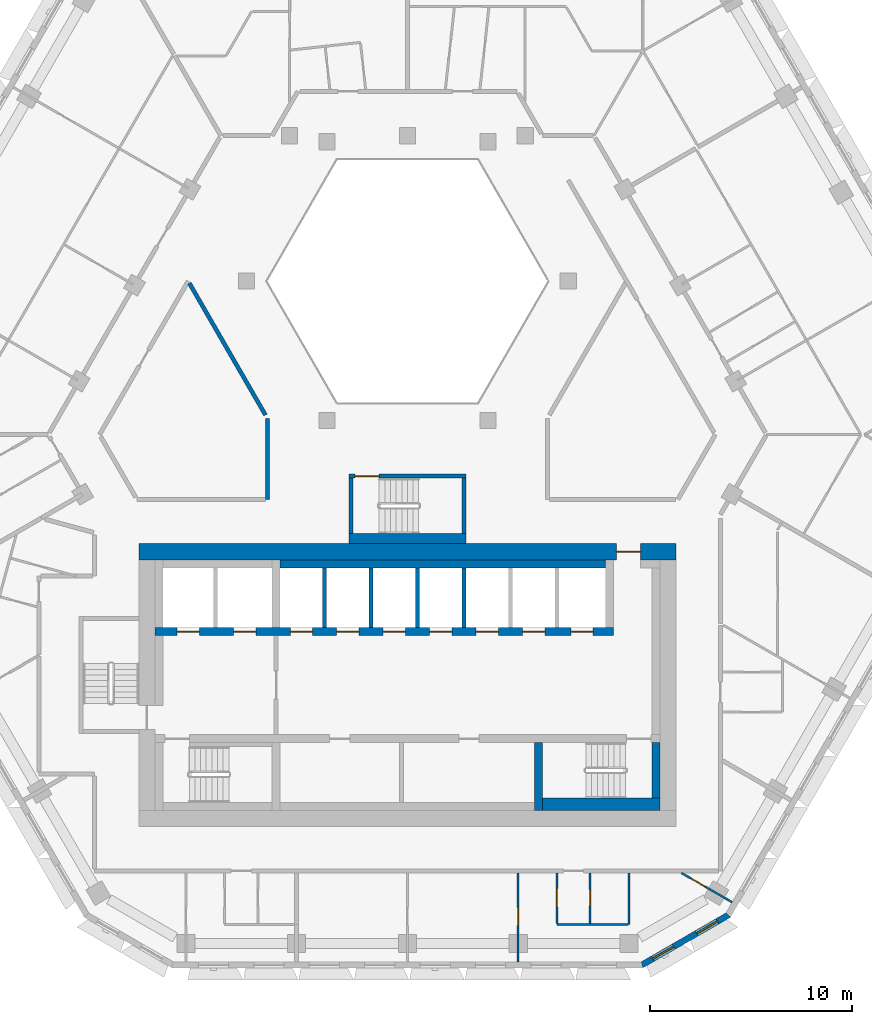
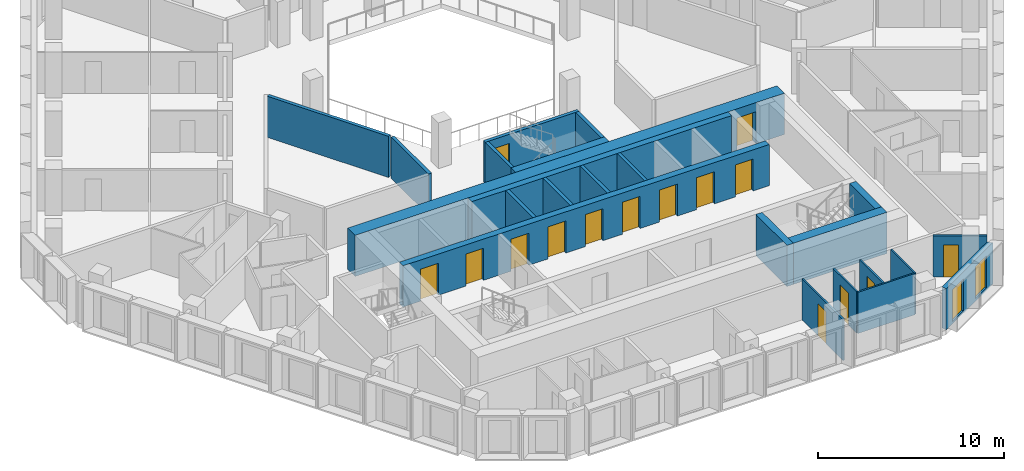
# One storey, part 5 of 17: 23 walls, 15 doors, 2 windows, 17 openings.
"""IFC4 building model written with IfcOpenShell, lengths in metres."""

from ifc_helpers import new_model, si_unit, direction, frame, frame_2d, origin, place, context, subcontext, project, spatial, polyline, rectangle, outline, extrude, material, layer, layer_set, type_object, element, fill, save


model = new_model("IFC4")

# Units and contexts
model_context = context("Model", 3, precision=1e-05, world=origin(), true_north=direction((0.0, 1.0)))
body_context = subcontext(model_context, "Body", "Model", "MODEL_VIEW")
ifc_project = project(units=[si_unit("LENGTHUNIT", "METRE"), si_unit("AREAUNIT", "SQUARE_METRE"), si_unit("VOLUMEUNIT", "CUBIC_METRE"), si_unit("PLANEANGLEUNIT", "RADIAN"), si_unit("MASSUNIT", "GRAM", prefix="KILO")], contexts=[model_context])

# Site, building, storey
site_placement = place(None, origin())
site = spatial("IfcSite", under=ifc_project, at=site_placement, CompositionType="ELEMENT")
building_placement = place(site_placement, origin())
building = spatial("IfcBuilding", under=site, at=building_placement, Name="Beryl Residences", CompositionType="ELEMENT")
storey_placement = place(building_placement, frame((0.0, 0.0, 144.60009765625)))
storey = spatial("IfcBuildingStorey", under=building, at=storey_placement, Name="L44", CompositionType="ELEMENT", Elevation=144.60009765625)

# Wall, openings, windows
ifc_material_1 = material(Name="Composite metal panel with mineral wool insulation")
ifc_layer_1 = layer(ifc_material_1, 0.300048828125)
ifc_layer_set_1 = layer_set([ifc_layer_1], Name="ES1 pale metal composite panel wall 300 mm")
wall_type_1 = type_object("IfcWallType", Name="ES1 pale metal composite panel wall 300 mm", PredefinedType="SOLIDWALL", material=ifc_layer_set_1)
wall_1_placement = place(storey_placement, frame((11.5869140625, -25.8701171875, 0.0), z_axis=(0.0, 0.0, 1.0), x_axis=(0.866022959057, 0.500004234368, 0.0)))
wall_1 = element("IfcWall", 1, at=wall_1_placement, inside=storey, type_object=wall_type_1, Name="ES1 external wall L44 S-SE", PredefinedType="SOLIDWALL", context=body_context, shape_type="SweptSolid", body=[
    extrude(outline(polyline([(0.0, -0.14990234375), (5.0, -0.14990234375), (4.919677734375, 0.14990234375), (0.080322265625, 0.14990234375), (0.0, -0.14990234375)])), origin(), (0.0, 0.0, 1.0), 2.699951171875),
])
opening_1_placement = place(wall_1_placement, frame((0.64990234375, 0.0, 0.14990234375)))
opening_1 = element("IfcOpeningElement", 2, at=opening_1_placement, cuts=wall_1, Name="Opening W2", PredefinedType="OPENING", context=body_context, shape_type="SweptSolid", body=[
    extrude(rectangle(XDim=1.199951171875, YDim=2.10009765625, at=frame_2d((0.60009765625, 1.050048828125))), frame((0.0, 0.159912109375, 0.0), z_axis=(0.0, -1.0, 0.0), x_axis=(1.0, 0.0, 0.0)), (0.0, 0.0, 1.0), 0.320068359375),
])
opening_2_placement = place(wall_1_placement, frame((3.14892578125, 0.0, 0.14990234375)))
opening_2 = element("IfcOpeningElement", 3, at=opening_2_placement, cuts=wall_1, Name="Opening W2", PredefinedType="OPENING", context=body_context, shape_type="SweptSolid", body=[
    extrude(rectangle(XDim=1.199951171875, YDim=2.10009765625, at=frame_2d((0.60009765625, 1.050048828125))), frame((0.0, 0.159912109375, 0.0), z_axis=(0.0, -1.0, 0.0), x_axis=(1.0, 0.0, 0.0)), (0.0, 0.0, 1.0), 0.320068359375),
])
ifc_material_2 = material(Name="Aluminium and clear glass", Category="aluminium")
window_type = type_object("IfcWindowType", Name="W2 chamfer window 1200 x 2100 mm", PartitioningType="SINGLE_PANEL", PredefinedType="WINDOW", material=ifc_material_2)
window_1_placement = place(opening_1_placement, origin())
window_1 = element("IfcWindow", 4, at=window_1_placement, inside=storey, type_object=window_type, Name="W2 window L44 S-SE 1", OverallHeight=2.10009765625, OverallWidth=1.199951171875, PartitioningType="SINGLE_PANEL", PredefinedType="WINDOW", context=body_context, shape_type="SweptSolid", body=[
    extrude(rectangle(XDim=1.199951171875, YDim=2.10009765625, at=frame_2d((0.60009765625, 1.050048828125))), frame((0.0, 0.030029296875, 0.0), z_axis=(0.0, -1.0, 0.0), x_axis=(1.0, 0.0, 0.0)), (0.0, 0.0, 1.0), 0.06005859375),
])
fill(opening_1, window_1)
window_2_placement = place(opening_2_placement, origin())
window_2 = element("IfcWindow", 5, at=window_2_placement, inside=storey, type_object=window_type, Name="W2 window L44 S-SE 2", OverallHeight=2.10009765625, OverallWidth=1.199951171875, PartitioningType="SINGLE_PANEL", PredefinedType="WINDOW", context=body_context, shape_type="SweptSolid", body=[
    extrude(rectangle(XDim=1.199951171875, YDim=2.10009765625, at=frame_2d((0.60009765625, 1.050048828125))), frame((0.0, 0.030029296875, 0.0), z_axis=(0.0, -1.0, 0.0), x_axis=(1.0, 0.0, 0.0)), (0.0, 0.0, 1.0), 0.06005859375),
])
fill(opening_2, window_2)

# Wall, opening, door
ifc_material_3 = material(Name="Gypsum board partition on steel studs", Category="steel")
ifc_layer_2 = layer(ifc_material_3, 0.10009765625)
ifc_layer_set_2 = layer_set([ifc_layer_2], Name="PT1 partition 100 mm gypsum board on steel studs")
wall_type_2 = type_object("IfcWallType", Name="PT1 partition 100 mm gypsum board on steel studs", PredefinedType="PARTITIONING", material=ifc_layer_set_2)
wall_2_placement = place(storey_placement, frame((7.406005859375, -21.300048828125, 0.0), z_axis=(0.0, 0.0, 1.0), x_axis=(0.0, -1.0, 0.0)))
wall_2 = element("IfcWall", 6, at=wall_2_placement, inside=storey, type_object=wall_type_2, Name="Wall PT1 L44 009", PredefinedType="PARTITIONING", context=body_context, shape_type="SweptSolid", body=[
    extrude(rectangle(XDim=2.509033203125, YDim=0.10009765625, at=frame_2d((1.25439453125, 0.0))), origin(), (0.0, 0.0, 1.0), 2.699951171875),
])
opening_3_placement = place(wall_2_placement, frame((0.780029296875, 0.0, 0.0)))
opening_3 = element("IfcOpeningElement", 7, at=opening_3_placement, cuts=wall_2, Name="Opening D1110", PredefinedType="OPENING", context=body_context, shape_type="SweptSolid", body=[
    extrude(rectangle(XDim=0.89990234375, YDim=2.10009765625, at=frame_2d((0.449951171875, 1.050048828125))), frame((0.0, 0.06005859375, 0.0), z_axis=(0.0, -1.0, 0.0), x_axis=(1.0, 0.0, 0.0)), (0.0, 0.0, 1.0), 0.1201171875),
])
ifc_material_4 = material(Name="Timber door leaf", Category="wood")
door_type_1 = type_object("IfcDoorType", Name="D2 room door 900 x 2100 mm", OperationType="SINGLE_SWING_LEFT", PredefinedType="DOOR", material=ifc_material_4)
door_1_placement = place(opening_3_placement, origin())
door_1 = element("IfcDoor", 8, at=door_1_placement, inside=storey, type_object=door_type_1, Name="Door D1110 L44 001", OperationType="SINGLE_SWING_RIGHT", OverallHeight=2.10009765625, OverallWidth=0.89990234375, PredefinedType="DOOR", context=body_context, shape_type="SweptSolid", body=[
    extrude(rectangle(XDim=0.89990234375, YDim=2.10009765625, at=frame_2d((0.449951171875, 1.050048828125))), frame((0.0, 0.02490234375, 0.0), z_axis=(0.0, -1.0, 0.0), x_axis=(1.0, 0.0, 0.0)), (0.0, 0.0, 1.0), 0.050048828125),
])
fill(opening_3, door_1)

wall_3_placement = place(storey_placement, frame((13.568115234375, -21.300048828125, 0.0), z_axis=(0.0, 0.0, 1.0), x_axis=(0.865885342641, -0.500242514586, 0.0)))
wall_3 = element("IfcWall", 9, at=wall_3_placement, inside=storey, type_object=wall_type_2, Name="Wall PT1 L44 014", PredefinedType="PARTITIONING", context=body_context, shape_type="SweptSolid", body=[
    extrude(rectangle(XDim=2.8984375, YDim=0.10009765625, at=frame_2d((1.44921875, 0.0))), origin(), (0.0, 0.0, 1.0), 2.699951171875),
])
opening_4_placement = place(wall_3_placement, frame((0.550048828125, 0.0, 0.0)))
opening_4 = element("IfcOpeningElement", 10, at=opening_4_placement, cuts=wall_3, Name="Opening D1113", PredefinedType="OPENING", context=body_context, shape_type="SweptSolid", body=[
    extrude(rectangle(XDim=0.800048828125, YDim=2.10009765625, at=frame_2d((0.39990234375, 1.050048828125))), frame((0.0, 0.06005859375, 0.0), z_axis=(0.0, -1.0, 0.0), x_axis=(1.0, 0.0, 0.0)), (0.0, 0.0, 1.0), 0.1201171875),
])
ifc_material_5 = material(Name="Timber door leaf", Category="wood")
door_type_2 = type_object("IfcDoorType", Name="D13 room door 800 x 2100 mm", OperationType="SINGLE_SWING_LEFT", PredefinedType="DOOR", material=ifc_material_5)
door_2_placement = place(opening_4_placement, origin())
door_2 = element("IfcDoor", 11, at=door_2_placement, inside=storey, type_object=door_type_2, Name="Door D1113 L44 001", OperationType="SINGLE_SWING_LEFT", OverallHeight=2.10009765625, OverallWidth=0.800048828125, PredefinedType="DOOR", context=body_context, shape_type="SweptSolid", body=[
    extrude(rectangle(XDim=0.800048828125, YDim=2.10009765625, at=frame_2d((0.39990234375, 1.050048828125))), frame((0.0, 0.02490234375, 0.0), z_axis=(0.0, -1.0, 0.0), x_axis=(1.0, 0.0, 0.0)), (0.0, 0.0, 1.0), 0.050048828125),
])
fill(opening_4, door_2)

# Wall
wall_4_placement = place(storey_placement, frame((7.406982421875, -23.860107421875, 0.0), z_axis=(0.0, 0.0, 1.0), x_axis=(1.0, 0.0, 0.0)))
element("IfcWall", 12, at=wall_4_placement, inside=storey, type_object=wall_type_2, Name="Wall PT1 L44 022", PredefinedType="PARTITIONING", context=body_context, shape_type="SweptSolid", body=[
    extrude(rectangle(XDim=3.512939453125, YDim=0.10009765625, at=frame_2d((1.75634765625, 0.0))), origin(), (0.0, 0.0, 1.0), 2.699951171875),
])

# Wall, opening, door
wall_5_placement = place(storey_placement, frame((5.486083984375, -25.699951171875, 0.0), z_axis=(0.0, 0.0, 1.0), x_axis=(0.0, 1.0, 0.0)))
wall_5 = element("IfcWall", 13, at=wall_5_placement, inside=storey, type_object=wall_type_2, Name="Wall PT1 L44 038", PredefinedType="PARTITIONING", context=body_context, shape_type="SweptSolid", body=[
    extrude(rectangle(XDim=4.39990234375, YDim=0.10009765625, at=frame_2d((2.199951171875, 0.0))), origin(), (0.0, 0.0, 1.0), 2.699951171875),
])
opening_5_placement = place(wall_5_placement, frame((1.800048828125, 0.0, 0.0)))
opening_5 = element("IfcOpeningElement", 14, at=opening_5_placement, cuts=wall_5, Name="Opening D1112", PredefinedType="OPENING", context=body_context, shape_type="SweptSolid", body=[
    extrude(rectangle(XDim=0.89990234375, YDim=2.10009765625, at=frame_2d((0.449951171875, 1.050048828125))), frame((0.0, 0.06005859375, 0.0), z_axis=(0.0, -1.0, 0.0), x_axis=(1.0, 0.0, 0.0)), (0.0, 0.0, 1.0), 0.1201171875),
])
door_3_placement = place(opening_5_placement, origin())
door_3 = element("IfcDoor", 15, at=door_3_placement, inside=storey, type_object=door_type_1, Name="Door D1112 L44 001", OperationType="SINGLE_SWING_RIGHT", OverallHeight=2.10009765625, OverallWidth=0.89990234375, PredefinedType="DOOR", context=body_context, shape_type="SweptSolid", body=[
    extrude(rectangle(XDim=0.89990234375, YDim=2.10009765625, at=frame_2d((0.449951171875, 1.050048828125))), frame((0.0, 0.02490234375, 0.0), z_axis=(0.0, -1.0, 0.0), x_axis=(1.0, 0.0, 0.0)), (0.0, 0.0, 1.0), 0.050048828125),
])
fill(opening_5, door_3)

wall_6_placement = place(storey_placement, frame((9.051025390625, -23.81005859375, 0.0), z_axis=(0.0, 0.0, 1.0), x_axis=(0.0, 1.0, 0.0)))
wall_6 = element("IfcWall", 16, at=wall_6_placement, inside=storey, type_object=wall_type_2, Name="Wall PT1 L44 040", PredefinedType="PARTITIONING", context=body_context, shape_type="SweptSolid", body=[
    extrude(rectangle(XDim=2.510009765625, YDim=0.10009765625, at=frame_2d((1.2548828125, 0.0))), origin(), (0.0, 0.0, 1.0), 2.699951171875),
])
opening_6_placement = place(wall_6_placement, frame((0.8798828125, 0.0, 0.0)))
opening_6 = element("IfcOpeningElement", 17, at=opening_6_placement, cuts=wall_6, Name="Opening D1111", PredefinedType="OPENING", context=body_context, shape_type="SweptSolid", body=[
    extrude(rectangle(XDim=0.800048828125, YDim=2.10009765625, at=frame_2d((0.39990234375, 1.050048828125))), frame((0.0, 0.06005859375, 0.0), z_axis=(0.0, -1.0, 0.0), x_axis=(1.0, 0.0, 0.0)), (0.0, 0.0, 1.0), 0.1201171875),
])
ifc_material_6 = material(Name="Timber door leaf", Category="wood")
door_type_3 = type_object("IfcDoorType", Name="D3 bathroom door 800 x 2100 mm", OperationType="SINGLE_SWING_LEFT", PredefinedType="DOOR", material=ifc_material_6)
door_4_placement = place(opening_6_placement, origin())
door_4 = element("IfcDoor", 18, at=door_4_placement, inside=storey, type_object=door_type_3, Name="Door D1111 L44 001", OperationType="SINGLE_SWING_LEFT", OverallHeight=2.10009765625, OverallWidth=0.800048828125, PredefinedType="DOOR", context=body_context, shape_type="SweptSolid", body=[
    extrude(rectangle(XDim=0.800048828125, YDim=2.10009765625, at=frame_2d((0.39990234375, 1.050048828125))), frame((0.0, 0.02490234375, 0.0), z_axis=(0.0, -1.0, 0.0), x_axis=(1.0, 0.0, 0.0)), (0.0, 0.0, 1.0), 0.050048828125),
])
fill(opening_6, door_4)

# Walls
wall_7_placement = place(storey_placement, frame((10.970947265625, -23.85888671875, 0.0), z_axis=(0.0, 0.0, 1.0), x_axis=(0.0, 1.0, 0.0)))
element("IfcWall", 19, at=wall_7_placement, inside=storey, type_object=wall_type_2, Name="Wall PT1 L44 041", PredefinedType="PARTITIONING", context=body_context, shape_type="SweptSolid", body=[
    extrude(rectangle(XDim=2.558837890625, YDim=0.10009765625, at=frame_2d((1.279296875, 0.0))), origin(), (0.0, 0.0, 1.0), 2.699951171875),
])
ifc_material_7 = material(Name="Double stud gypsum board wall")
ifc_layer_3 = layer(ifc_material_7, 0.199951171875)
ifc_layer_set_3 = layer_set([ifc_layer_3], Name="PT4 corridor wall 200 mm double stud")
wall_type_3 = type_object("IfcWallType", Name="PT4 corridor wall 200 mm double stud", PredefinedType="PARTITIONING", material=ifc_layer_set_3)
wall_8_placement = place(storey_placement, frame((-10.7958984375, 7.89990234375, 0.0), z_axis=(0.0, 0.0, 1.0), x_axis=(0.499954271211, -0.866051803703, 0.0)))
element("IfcWall", 20, at=wall_8_placement, inside=storey, type_object=wall_type_3, Name="Wall PT4 L44 001", PredefinedType="PARTITIONING", context=body_context, shape_type="SweptSolid", body=[
    extrude(rectangle(XDim=7.536376953125, YDim=0.199951171875, at=frame_2d((3.76806640625, 0.0))), origin(), (0.0, 0.0, 1.0), 2.699951171875),
])
wall_9_placement = place(storey_placement, frame((-6.927978515625, -2.800048828125, 0.0), z_axis=(0.0, 0.0, 1.0), x_axis=(0.0, 1.0, 0.0)))
element("IfcWall", 21, at=wall_9_placement, inside=storey, type_object=wall_type_3, Name="Wall PT4 L44 026", PredefinedType="PARTITIONING", context=body_context, shape_type="SweptSolid", body=[
    extrude(rectangle(XDim=4.0, YDim=0.199951171875, at=frame_2d((2.0, 0.0))), origin(), (0.0, 0.0, 1.0), 2.699951171875),
])

# Wall, opening, door
ifc_material_8 = material(Name="Concrete C40/50", Category="concrete")
ifc_layer_4 = layer(ifc_material_8, 0.199951171875)
ifc_layer_set_4 = layer_set([ifc_layer_4], Name="PT5 stair enclosure wall 200 mm reinforced concrete C40/50")
wall_type_4 = type_object("IfcWallType", Name="PT5 stair enclosure wall 200 mm reinforced concrete C40/50", PredefinedType="SOLIDWALL", material=ifc_layer_set_4)
wall_10_placement = place(storey_placement, frame((-2.89990234375, -1.64990234375, 0.0), z_axis=(0.0, 0.0, 1.0), x_axis=(1.0, 0.0, 0.0)))
wall_10 = element("IfcWall", 22, at=wall_10_placement, inside=storey, type_object=wall_type_4, Name="Wall PT5 L44 001", PredefinedType="SOLIDWALL", context=body_context, shape_type="SweptSolid", body=[
    extrude(rectangle(XDim=5.7998046875, YDim=0.199951171875, at=frame_2d((2.89990234375, 0.0))), origin(), (0.0, 0.0, 1.0), 2.699951171875),
])
opening_7_placement = place(wall_10_placement, frame((0.300048828125, 0.0, 0.0)))
opening_7 = element("IfcOpeningElement", 23, at=opening_7_placement, cuts=wall_10, Name="Opening DS04", PredefinedType="OPENING", context=body_context, shape_type="SweptSolid", body=[
    extrude(rectangle(XDim=1.199951171875, YDim=2.10009765625, at=frame_2d((0.60009765625, 1.050048828125))), frame((0.0, 0.10986328125, 0.0), z_axis=(0.0, -1.0, 0.0), x_axis=(1.0, 0.0, 0.0)), (0.0, 0.0, 1.0), 0.219970703125),
])
ifc_material_9 = material(Name="Steel door leaf in steel frame", Category="steel")
door_type_4 = type_object("IfcDoorType", Name="D4 stair door 1200 x 2100 mm", OperationType="SINGLE_SWING_LEFT", PredefinedType="DOOR", material=ifc_material_9)
door_5_placement = place(opening_7_placement, origin())
door_5 = element("IfcDoor", 24, at=door_5_placement, inside=storey, type_object=door_type_4, Name="Door DS04 L44 001", OperationType="SINGLE_SWING_LEFT", OverallHeight=2.10009765625, OverallWidth=1.199951171875, PredefinedType="DOOR", context=body_context, shape_type="SweptSolid", body=[
    extrude(rectangle(XDim=1.199951171875, YDim=2.10009765625, at=frame_2d((0.60009765625, 1.050048828125))), frame((0.0, 0.02490234375, 0.0), z_axis=(0.0, -1.0, 0.0), x_axis=(1.0, 0.0, 0.0)), (0.0, 0.0, 1.0), 0.050048828125),
])
fill(opening_7, door_5)

# Walls
for number, where, z_axis, x_axis, name in (
    (25, (-2.800048828125, -4.5, 0.0), (0.0, 0.0, 1.0), (0.0, 1.0, 0.0), "Wall PT5 L44 002"),
    (26, (2.800048828125, -4.5, 0.0), (0.0, 0.0, 1.0), (0.0, 1.0, 0.0), "Wall PT5 L44 003"),
):
    element("IfcWall", number, at=place(storey_placement, frame(where, z_axis=z_axis, x_axis=x_axis)), inside=storey, type_object=wall_type_4, Name=name, PredefinedType="SOLIDWALL", context=body_context, shape_type="SweptSolid", body=[
        extrude(rectangle(XDim=2.75, YDim=0.199951171875, at=frame_2d((1.375, 0.0))), origin(), (0.0, 0.0, 1.0), 2.699951171875),
    ])
ifc_material_10 = material(Name="Concrete C40/50", Category="concrete")
ifc_layer_5 = layer(ifc_material_10, 0.39990234375)
ifc_layer_set_5 = layer_set([ifc_layer_5], Name="PT5-400 stair enclosure wall 400 mm")
wall_type_5 = type_object("IfcWallType", Name="PT5-400 stair enclosure wall 400 mm", PredefinedType="SOLIDWALL", material=ifc_layer_set_5)
wall_11_placement = place(storey_placement, frame((12.300048828125, -17.60009765625, 0.0), z_axis=(0.0, 0.0, 1.0), x_axis=(0.0, 1.0, 0.0)))
element("IfcWall", 27, at=wall_11_placement, inside=storey, type_object=wall_type_5, Name="Stair wall 23", PredefinedType="SOLIDWALL", context=body_context, shape_type="SweptSolid", body=[
    extrude(rectangle(XDim=2.75, YDim=0.39990234375, at=frame_2d((1.375, 0.0))), origin(), (0.0, 0.0, 1.0), 2.699951171875),
])
ifc_material_11 = material(Name="Concrete C40/50", Category="concrete")
ifc_layer_6 = layer(ifc_material_11, 0.5)
ifc_layer_set_6 = layer_set([ifc_layer_6], Name="PT5-500 stair enclosure wall 500 mm")
wall_type_6 = type_object("IfcWallType", Name="PT5-500 stair enclosure wall 500 mm", PredefinedType="SOLIDWALL", material=ifc_layer_set_6)
wall_12_placement = place(storey_placement, frame((-2.89990234375, -4.75, 0.0), z_axis=(0.0, 0.0, 1.0), x_axis=(1.0, 0.0, 0.0)))
element("IfcWall", 28, at=wall_12_placement, inside=storey, type_object=wall_type_6, Name="Wall PT5-500 L44 001", PredefinedType="SOLIDWALL", context=body_context, shape_type="SweptSolid", body=[
    extrude(rectangle(XDim=5.7998046875, YDim=0.5, at=frame_2d((2.89990234375, 0.0))), origin(), (0.0, 0.0, 1.0), 2.699951171875),
])
ifc_material_12 = material(Name="Concrete C40/50", Category="concrete")
ifc_layer_7 = layer(ifc_material_12, 0.60009765625)
ifc_layer_set_7 = layer_set([ifc_layer_7], Name="PT5-600 stair enclosure wall 600 mm")
wall_type_7 = type_object("IfcWallType", Name="PT5-600 stair enclosure wall 600 mm", PredefinedType="SOLIDWALL", material=ifc_layer_set_7)
wall_13_placement = place(storey_placement, frame((6.699951171875, -17.89990234375, 0.0), z_axis=(0.0, 0.0, 1.0), x_axis=(1.0, 0.0, 0.0)))
element("IfcWall", 29, at=wall_13_placement, inside=storey, type_object=wall_type_7, Name="Stair wall 20", PredefinedType="SOLIDWALL", context=body_context, shape_type="SweptSolid", body=[
    extrude(rectangle(XDim=5.800048828125, YDim=0.60009765625, at=frame_2d((2.89990234375, 0.0))), origin(), (0.0, 0.0, 1.0), 2.699951171875),
])
ifc_material_13 = material(Name="Concrete C40/50", Category="concrete")
ifc_layer_8 = layer(ifc_material_13, 0.199951171875)
ifc_layer_set_8 = layer_set([ifc_layer_8], Name="PT6 lift shaft wall 200 mm reinforced concrete C40/50")
wall_type_8 = type_object("IfcWallType", Name="PT6 lift shaft wall 200 mm reinforced concrete C40/50", PredefinedType="SOLIDWALL", material=ifc_layer_set_8)
for number, where, z_axis, x_axis, name in (
    (30, (-4.10009765625, -9.14990234375, 0.0), (0.0, 0.0, 1.0), (0.0, 1.0, 0.0), "Lift shaft wall 14"),
    (31, (-1.800048828125, -9.14990234375, 0.0), (0.0, 0.0, 1.0), (0.0, 1.0, 0.0), "Lift shaft wall 15"),
    (32, (0.5, -9.14990234375, 0.0), (0.0, 0.0, 1.0), (0.0, 1.0, 0.0), "Lift shaft wall 17"),
    (33, (2.800048828125, -9.14990234375, 0.0), (0.0, 0.0, 1.0), (0.0, 1.0, 0.0), "Lift shaft wall 18"),
):
    element("IfcWall", number, at=place(storey_placement, frame(where, z_axis=z_axis, x_axis=x_axis)), inside=storey, type_object=wall_type_8, Name=name, PredefinedType="SOLIDWALL", context=body_context, shape_type="SweptSolid", body=[
        extrude(rectangle(XDim=2.949951171875, YDim=0.199951171875, at=frame_2d((1.47509765625, 0.0))), origin(), (0.0, 0.0, 1.0), 2.699951171875),
    ])
ifc_material_14 = material(Name="Concrete C40/50", Category="concrete")
ifc_layer_9 = layer(ifc_material_14, 0.39990234375)
ifc_layer_set_9 = layer_set([ifc_layer_9], Name="PT6-400 lift shaft wall 400 mm")
wall_type_9 = type_object("IfcWallType", Name="PT6-400 lift shaft wall 400 mm", PredefinedType="SOLIDWALL", material=ifc_layer_set_9)
wall_14_placement = place(storey_placement, frame((-6.300048828125, -6.0, 0.0), z_axis=(0.0, 0.0, 1.0), x_axis=(1.0, 0.0, 0.0)))
element("IfcWall", 34, at=wall_14_placement, inside=storey, type_object=wall_type_9, Name="Lift shaft wall 13", PredefinedType="SOLIDWALL", context=body_context, shape_type="SweptSolid", body=[
    extrude(rectangle(XDim=16.10009765625, YDim=0.39990234375, at=frame_2d((8.050048828125, 0.0))), origin(), (0.0, 0.0, 1.0), 2.699951171875),
])

# Wall, opening, door
ifc_material_15 = material(Name="Concrete C60/75", Category="concrete")
ifc_layer_10 = layer(ifc_material_15, 0.800048828125)
ifc_layer_set_10 = layer_set([ifc_layer_10], Name="SW3 core outer wall 800 mm C60/75")
wall_type_10 = type_object("IfcWallType", Name="SW3 core outer wall 800 mm C60/75", PredefinedType="SHEAR", material=ifc_layer_set_10)
wall_15_placement = place(storey_placement, frame((-13.300048828125, -5.39990234375, 0.0), z_axis=(0.0, 0.0, 1.0), x_axis=(1.0, 0.0, 0.0)))
wall_15 = element("IfcWall", 35, at=wall_15_placement, inside=storey, type_object=wall_type_10, Name="Core wall N L44", PredefinedType="SHEAR", context=body_context, shape_type="SweptSolid", body=[
    extrude(rectangle(XDim=26.60009765625, YDim=0.800048828125, at=frame_2d((13.300048828125, 0.0))), origin(), (0.0, 0.0, 1.0), 2.699951171875),
])
opening_8_placement = place(wall_15_placement, frame((23.64990234375, 0.0, 0.0)))
opening_8 = element("IfcOpeningElement", 36, at=opening_8_placement, cuts=wall_15, Name="Opening FD-NORTH", PredefinedType="OPENING", context=body_context, shape_type="SweptSolid", body=[
    extrude(rectangle(XDim=1.199951171875, YDim=2.10009765625, at=frame_2d((0.60009765625, 1.050048828125))), frame((0.0, 0.409912109375, 0.0), z_axis=(0.0, -1.0, 0.0), x_axis=(1.0, 0.0, 0.0)), (0.0, 0.0, 1.0), 0.820068359375),
])
ifc_material_16 = material(Name="Steel door leaf in steel frame", Category="steel")
door_type_5 = type_object("IfcDoorType", Name="D22 lobby door 1200 x 2100 mm", OperationType="DOUBLE_DOOR_SINGLE_SWING", PredefinedType="DOOR", material=ifc_material_16)
door_6_placement = place(opening_8_placement, origin())
door_6 = element("IfcDoor", 37, at=door_6_placement, inside=storey, type_object=door_type_5, Name="Door FD-NORTH L44 001", OperationType="DOUBLE_DOOR_SINGLE_SWING", OverallHeight=2.10009765625, OverallWidth=1.199951171875, PredefinedType="DOOR", context=body_context, shape_type="SweptSolid", body=[
    extrude(rectangle(XDim=1.199951171875, YDim=2.10009765625, at=frame_2d((0.60009765625, 1.050048828125))), frame((0.0, 0.02490234375, 0.0), z_axis=(0.0, -1.0, 0.0), x_axis=(1.0, 0.0, 0.0)), (0.0, 0.0, 1.0), 0.050048828125),
])
fill(opening_8, door_6)

# Wall, openings, doors
ifc_material_17 = material(Name="Concrete C60/75", Category="concrete")
ifc_layer_11 = layer(ifc_material_17, 0.39990234375)
ifc_layer_set_11 = layer_set([ifc_layer_11], Name="SW8 core internal wall 400 mm C60/75")
wall_type_11 = type_object("IfcWallType", Name="SW8 core internal wall 400 mm C60/75", PredefinedType="SHEAR", material=ifc_layer_set_11)
wall_16_placement = place(storey_placement, frame((-12.5, -9.35009765625, 0.0), z_axis=(0.0, 0.0, 1.0), x_axis=(1.0, 0.0, 0.0)))
wall_16 = element("IfcWall", 38, at=wall_16_placement, inside=storey, type_object=wall_type_11, Name="Core wall SP2 L44", PredefinedType="SHEAR", context=body_context, shape_type="SweptSolid", body=[
    extrude(rectangle(XDim=22.699951171875, YDim=0.39990234375, at=frame_2d((11.35009765625, 0.0))), origin(), (0.0, 0.0, 1.0), 2.699951171875),
])
opening_9_placement = place(wall_16_placement, frame((1.10009765625, 0.0, 0.0)))
opening_9 = element("IfcOpeningElement", 39, at=opening_9_placement, cuts=wall_16, Name="Opening LD-FF1", PredefinedType="OPENING", context=body_context, shape_type="SweptSolid", body=[
    extrude(rectangle(XDim=1.10009765625, YDim=2.10009765625, at=frame_2d((0.550048828125, 1.050048828125))), frame((0.0, 0.2099609375, 0.0), z_axis=(0.0, -1.0, 0.0), x_axis=(1.0, 0.0, 0.0)), (0.0, 0.0, 1.0), 0.419921875),
])
opening_10_placement = place(wall_16_placement, frame((3.89990234375, 0.0, 0.0)))
opening_10 = element("IfcOpeningElement", 40, at=opening_10_placement, cuts=wall_16, Name="Opening LD-FF2", PredefinedType="OPENING", context=body_context, shape_type="SweptSolid", body=[
    extrude(rectangle(XDim=1.10009765625, YDim=2.10009765625, at=frame_2d((0.550048828125, 1.050048828125))), frame((0.0, 0.2099609375, 0.0), z_axis=(0.0, -1.0, 0.0), x_axis=(1.0, 0.0, 0.0)), (0.0, 0.0, 1.0), 0.419921875),
])
opening_11_placement = place(wall_16_placement, frame((6.699951171875, 0.0, 0.0)))
opening_11 = element("IfcOpeningElement", 41, at=opening_11_placement, cuts=wall_16, Name="Opening LD-HR1", PredefinedType="OPENING", context=body_context, shape_type="SweptSolid", body=[
    extrude(rectangle(XDim=1.10009765625, YDim=2.10009765625, at=frame_2d((0.550048828125, 1.050048828125))), frame((0.0, 0.2099609375, 0.0), z_axis=(0.0, -1.0, 0.0), x_axis=(1.0, 0.0, 0.0)), (0.0, 0.0, 1.0), 0.419921875),
])
opening_12_placement = place(wall_16_placement, frame((9.0, 0.0, 0.0)))
opening_12 = element("IfcOpeningElement", 42, at=opening_12_placement, cuts=wall_16, Name="Opening LD-HR2", PredefinedType="OPENING", context=body_context, shape_type="SweptSolid", body=[
    extrude(rectangle(XDim=1.10009765625, YDim=2.10009765625, at=frame_2d((0.550048828125, 1.050048828125))), frame((0.0, 0.2099609375, 0.0), z_axis=(0.0, -1.0, 0.0), x_axis=(1.0, 0.0, 0.0)), (0.0, 0.0, 1.0), 0.419921875),
])
opening_13_placement = place(wall_16_placement, frame((11.300048828125, 0.0, 0.0)))
opening_13 = element("IfcOpeningElement", 43, at=opening_13_placement, cuts=wall_16, Name="Opening LD-HR3", PredefinedType="OPENING", context=body_context, shape_type="SweptSolid", body=[
    extrude(rectangle(XDim=1.10009765625, YDim=2.10009765625, at=frame_2d((0.550048828125, 1.050048828125))), frame((0.0, 0.2099609375, 0.0), z_axis=(0.0, -1.0, 0.0), x_axis=(1.0, 0.0, 0.0)), (0.0, 0.0, 1.0), 0.419921875),
])
opening_14_placement = place(wall_16_placement, frame((13.60009765625, 0.0, 0.0)))
opening_14 = element("IfcOpeningElement", 44, at=opening_14_placement, cuts=wall_16, Name="Opening LD-HR4", PredefinedType="OPENING", context=body_context, shape_type="SweptSolid", body=[
    extrude(rectangle(XDim=1.10009765625, YDim=2.10009765625, at=frame_2d((0.550048828125, 1.050048828125))), frame((0.0, 0.2099609375, 0.0), z_axis=(0.0, -1.0, 0.0), x_axis=(1.0, 0.0, 0.0)), (0.0, 0.0, 1.0), 0.419921875),
])
opening_15_placement = place(wall_16_placement, frame((15.89990234375, 0.0, 0.0)))
opening_15 = element("IfcOpeningElement", 45, at=opening_15_placement, cuts=wall_16, Name="Opening LD-HR5", PredefinedType="OPENING", context=body_context, shape_type="SweptSolid", body=[
    extrude(rectangle(XDim=1.10009765625, YDim=2.10009765625, at=frame_2d((0.550048828125, 1.050048828125))), frame((0.0, 0.2099609375, 0.0), z_axis=(0.0, -1.0, 0.0), x_axis=(1.0, 0.0, 0.0)), (0.0, 0.0, 1.0), 0.419921875),
])
opening_16_placement = place(wall_16_placement, frame((18.199951171875, 0.0, 0.0)))
opening_16 = element("IfcOpeningElement", 46, at=opening_16_placement, cuts=wall_16, Name="Opening LD-HR6", PredefinedType="OPENING", context=body_context, shape_type="SweptSolid", body=[
    extrude(rectangle(XDim=1.10009765625, YDim=2.10009765625, at=frame_2d((0.550048828125, 1.050048828125))), frame((0.0, 0.2099609375, 0.0), z_axis=(0.0, -1.0, 0.0), x_axis=(1.0, 0.0, 0.0)), (0.0, 0.0, 1.0), 0.419921875),
])
opening_17_placement = place(wall_16_placement, frame((20.60009765625, 0.0, 0.0)))
opening_17 = element("IfcOpeningElement", 47, at=opening_17_placement, cuts=wall_16, Name="Opening LD-SL1", PredefinedType="OPENING", context=body_context, shape_type="SweptSolid", body=[
    extrude(rectangle(XDim=1.10009765625, YDim=2.10009765625, at=frame_2d((0.550048828125, 1.050048828125))), frame((0.0, 0.2099609375, 0.0), z_axis=(0.0, -1.0, 0.0), x_axis=(1.0, 0.0, 0.0)), (0.0, 0.0, 1.0), 0.419921875),
])
ifc_material_18 = material(Name="Stainless steel sliding door", Category="steel")
door_type_6 = type_object("IfcDoorType", Name="LD1 lift landing door 1100 x 2100 mm", OperationType="DOUBLE_DOOR_SLIDING", PredefinedType="DOOR", material=ifc_material_18)
door_7_placement = place(opening_9_placement, origin())
door_7 = element("IfcDoor", 48, at=door_7_placement, inside=storey, type_object=door_type_6, Name="Lift landing door FF1", OperationType="DOUBLE_DOOR_SLIDING", OverallHeight=2.10009765625, OverallWidth=1.10009765625, PredefinedType="DOOR", context=body_context, shape_type="SweptSolid", body=[
    extrude(rectangle(XDim=1.10009765625, YDim=2.10009765625, at=frame_2d((0.550048828125, 1.050048828125))), frame((0.0, 0.02490234375, 0.0), z_axis=(0.0, -1.0, 0.0), x_axis=(1.0, 0.0, 0.0)), (0.0, 0.0, 1.0), 0.050048828125),
])
fill(opening_9, door_7)
door_8_placement = place(opening_10_placement, origin())
door_8 = element("IfcDoor", 49, at=door_8_placement, inside=storey, type_object=door_type_6, Name="Lift landing door FF2", OperationType="DOUBLE_DOOR_SLIDING", OverallHeight=2.10009765625, OverallWidth=1.10009765625, PredefinedType="DOOR", context=body_context, shape_type="SweptSolid", body=[
    extrude(rectangle(XDim=1.10009765625, YDim=2.10009765625, at=frame_2d((0.550048828125, 1.050048828125))), frame((0.0, 0.02490234375, 0.0), z_axis=(0.0, -1.0, 0.0), x_axis=(1.0, 0.0, 0.0)), (0.0, 0.0, 1.0), 0.050048828125),
])
fill(opening_10, door_8)
door_9_placement = place(opening_11_placement, origin())
door_9 = element("IfcDoor", 50, at=door_9_placement, inside=storey, type_object=door_type_6, Name="Lift landing door HR1", OperationType="DOUBLE_DOOR_SLIDING", OverallHeight=2.10009765625, OverallWidth=1.10009765625, PredefinedType="DOOR", context=body_context, shape_type="SweptSolid", body=[
    extrude(rectangle(XDim=1.10009765625, YDim=2.10009765625, at=frame_2d((0.550048828125, 1.050048828125))), frame((0.0, 0.02490234375, 0.0), z_axis=(0.0, -1.0, 0.0), x_axis=(1.0, 0.0, 0.0)), (0.0, 0.0, 1.0), 0.050048828125),
])
fill(opening_11, door_9)
door_10_placement = place(opening_12_placement, origin())
door_10 = element("IfcDoor", 51, at=door_10_placement, inside=storey, type_object=door_type_6, Name="Lift landing door HR2", OperationType="DOUBLE_DOOR_SLIDING", OverallHeight=2.10009765625, OverallWidth=1.10009765625, PredefinedType="DOOR", context=body_context, shape_type="SweptSolid", body=[
    extrude(rectangle(XDim=1.10009765625, YDim=2.10009765625, at=frame_2d((0.550048828125, 1.050048828125))), frame((0.0, 0.02490234375, 0.0), z_axis=(0.0, -1.0, 0.0), x_axis=(1.0, 0.0, 0.0)), (0.0, 0.0, 1.0), 0.050048828125),
])
fill(opening_12, door_10)
door_11_placement = place(opening_13_placement, origin())
door_11 = element("IfcDoor", 52, at=door_11_placement, inside=storey, type_object=door_type_6, Name="Lift landing door HR3", OperationType="DOUBLE_DOOR_SLIDING", OverallHeight=2.10009765625, OverallWidth=1.10009765625, PredefinedType="DOOR", context=body_context, shape_type="SweptSolid", body=[
    extrude(rectangle(XDim=1.10009765625, YDim=2.10009765625, at=frame_2d((0.550048828125, 1.050048828125))), frame((0.0, 0.02490234375, 0.0), z_axis=(0.0, -1.0, 0.0), x_axis=(1.0, 0.0, 0.0)), (0.0, 0.0, 1.0), 0.050048828125),
])
fill(opening_13, door_11)
door_12_placement = place(opening_14_placement, origin())
door_12 = element("IfcDoor", 53, at=door_12_placement, inside=storey, type_object=door_type_6, Name="Lift landing door HR4", OperationType="DOUBLE_DOOR_SLIDING", OverallHeight=2.10009765625, OverallWidth=1.10009765625, PredefinedType="DOOR", context=body_context, shape_type="SweptSolid", body=[
    extrude(rectangle(XDim=1.10009765625, YDim=2.10009765625, at=frame_2d((0.550048828125, 1.050048828125))), frame((0.0, 0.02490234375, 0.0), z_axis=(0.0, -1.0, 0.0), x_axis=(1.0, 0.0, 0.0)), (0.0, 0.0, 1.0), 0.050048828125),
])
fill(opening_14, door_12)
door_13_placement = place(opening_15_placement, origin())
door_13 = element("IfcDoor", 54, at=door_13_placement, inside=storey, type_object=door_type_6, Name="Lift landing door HR5", OperationType="DOUBLE_DOOR_SLIDING", OverallHeight=2.10009765625, OverallWidth=1.10009765625, PredefinedType="DOOR", context=body_context, shape_type="SweptSolid", body=[
    extrude(rectangle(XDim=1.10009765625, YDim=2.10009765625, at=frame_2d((0.550048828125, 1.050048828125))), frame((0.0, 0.02490234375, 0.0), z_axis=(0.0, -1.0, 0.0), x_axis=(1.0, 0.0, 0.0)), (0.0, 0.0, 1.0), 0.050048828125),
])
fill(opening_15, door_13)
door_14_placement = place(opening_16_placement, origin())
door_14 = element("IfcDoor", 55, at=door_14_placement, inside=storey, type_object=door_type_6, Name="Lift landing door HR6", OperationType="DOUBLE_DOOR_SLIDING", OverallHeight=2.10009765625, OverallWidth=1.10009765625, PredefinedType="DOOR", context=body_context, shape_type="SweptSolid", body=[
    extrude(rectangle(XDim=1.10009765625, YDim=2.10009765625, at=frame_2d((0.550048828125, 1.050048828125))), frame((0.0, 0.02490234375, 0.0), z_axis=(0.0, -1.0, 0.0), x_axis=(1.0, 0.0, 0.0)), (0.0, 0.0, 1.0), 0.050048828125),
])
fill(opening_16, door_14)
door_15_placement = place(opening_17_placement, origin())
door_15 = element("IfcDoor", 56, at=door_15_placement, inside=storey, type_object=door_type_6, Name="Lift landing door SL1", OperationType="DOUBLE_DOOR_SLIDING", OverallHeight=2.10009765625, OverallWidth=1.10009765625, PredefinedType="DOOR", context=body_context, shape_type="SweptSolid", body=[
    extrude(rectangle(XDim=1.10009765625, YDim=2.10009765625, at=frame_2d((0.550048828125, 1.050048828125))), frame((0.0, 0.02490234375, 0.0), z_axis=(0.0, -1.0, 0.0), x_axis=(1.0, 0.0, 0.0)), (0.0, 0.0, 1.0), 0.050048828125),
])
fill(opening_17, door_15)

# Wall
wall_17_placement = place(storey_placement, frame((6.5, -18.199951171875, 0.0), z_axis=(0.0, 0.0, 1.0), x_axis=(0.0, 1.0, 0.0)))
element("IfcWall", 57, at=wall_17_placement, inside=storey, type_object=wall_type_11, Name="Core wall XS2 L44", PredefinedType="SHEAR", context=body_context, shape_type="SweptSolid", body=[
    extrude(rectangle(XDim=3.349853515625, YDim=0.39990234375, at=frame_2d((1.6748046875, 0.0))), origin(), (0.0, 0.0, 1.0), 2.699951171875),
])

save(model, "model.ifc")
